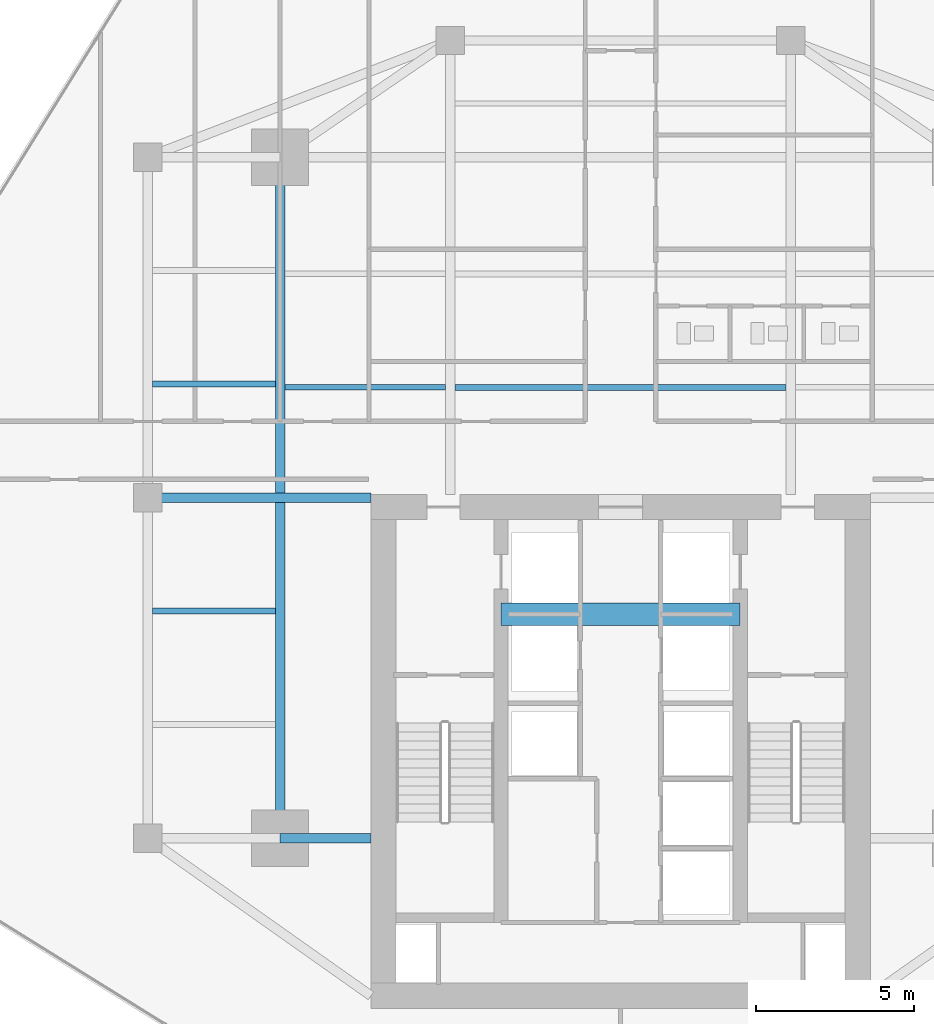
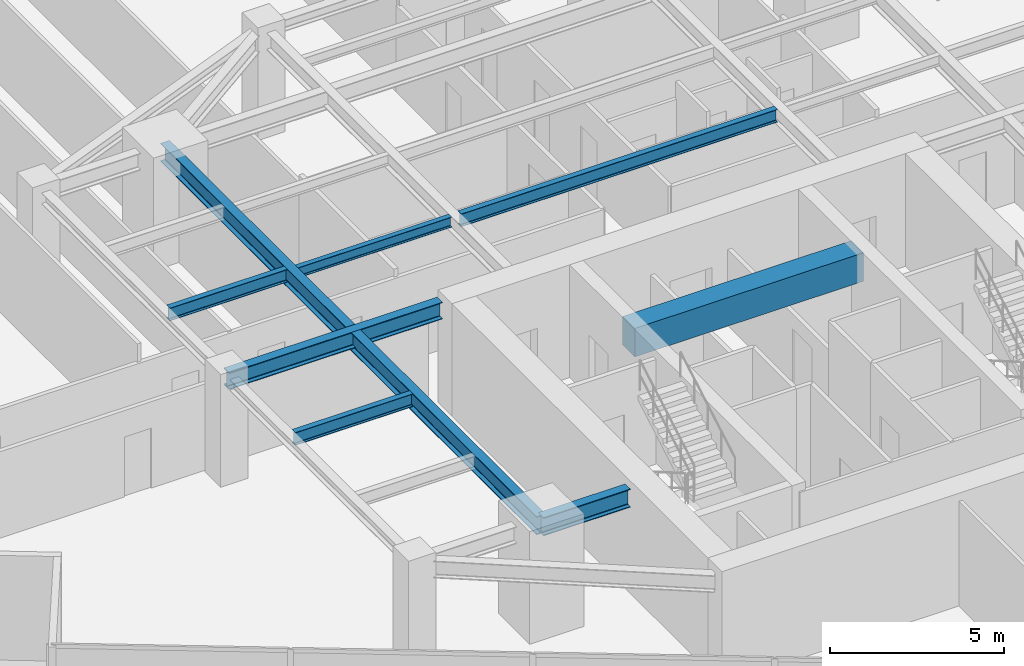
# One storey, part 8 of 25: 8 beams.
"""IFC4 building model written with IfcOpenShell, lengths in metres."""

from ifc_helpers import new_model, si_unit, direction, frame, origin, origin_2d, place, context, subcontext, project, spatial, rectangle, i_section, extrude, source, transform, mapped, material, material_profile, profile_set, type_object, type_shapes, element, save


model = new_model("IFC4")

# Units and contexts
model_context = context("Model", 3, precision=1e-05, world=origin(), true_north=direction((0.0, 1.0)))
body_context = subcontext(model_context, "Body", "Model", "MODEL_VIEW")
ifc_project = project(units=[si_unit("LENGTHUNIT", "METRE"), si_unit("AREAUNIT", "SQUARE_METRE"), si_unit("VOLUMEUNIT", "CUBIC_METRE"), si_unit("PLANEANGLEUNIT", "RADIAN"), si_unit("MASSUNIT", "GRAM", prefix="KILO")], contexts=[model_context])

# Site, building, storey
site_placement = place(None, origin())
site = spatial("IfcSite", under=ifc_project, at=site_placement, CompositionType="ELEMENT")
building_placement = place(site_placement, origin())
building = spatial("IfcBuilding", under=site, at=building_placement, Name="Krantzveldt Concourse Tower", CompositionType="ELEMENT")
storey_placement = place(building_placement, frame((0.0, 0.0, 181.75)))
storey = spatial("IfcBuildingStorey", under=building, at=storey_placement, Name="L44", CompositionType="ELEMENT", Elevation=181.75)

# Beams
ifc_material_1 = material(Name="Steel S355JR", Category="steel")
ifc_material_profile_1 = material_profile(ifc_material_1, i_section(OverallWidth=0.300048828125, OverallDepth=0.639892578125, WebThickness=0.013427734375, FlangeThickness=0.02587890625, FilletRadius=0.027099609375, at=origin_2d()), Name="Steel S355JR", Category="steel")
ifc_profile_set_1 = profile_set([ifc_material_profile_1], Name="Steel S355JR - HEA 650")
beam_type_1 = type_object("IfcBeamType", Name="BM-B-HEA650", PredefinedType="BEAM", material=ifc_profile_set_1)
shared_shape_1 = source(origin(), body_context, "Body", "SweptSolid", [
    extrude(i_section(OverallWidth=0.300048828125, OverallDepth=0.639892578125, WebThickness=0.013427734375, FlangeThickness=0.02587890625, FilletRadius=0.027099609375, at=origin_2d()), origin(), (0.0, 0.0, 1.0), 21.60009765625),
])
beam_1_placement = place(storey_placement, frame((25.199951171875, 15.89990234375, 3.35009765625), z_axis=(0.0, 1.0, 0.0), x_axis=(-1.0, 0.0, 0.0)))
element("IfcBeam", 1, at=beam_1_placement, inside=storey, type_object=beam_type_1, Name="L44 Tower Girder BG-MW", PredefinedType="BEAM", context=body_context, shape_type="MappedRepresentation", body=[
    mapped(shared_shape_1, transform((0.0, 0.0, 0.0), x_axis=(1.0, 0.0, 0.0), y_axis=(0.0, 1.0, 0.0), z_axis=(0.0, 0.0, 1.0), scale=1.0)),
])
ifc_material_profile_2 = material_profile(ifc_material_1, i_section(OverallWidth=0.300048828125, OverallDepth=0.590087890625, WebThickness=0.012939453125, FlangeThickness=0.02490234375, FilletRadius=0.027099609375, at=origin_2d()), Name="Steel S355JR", Category="steel")
ifc_profile_set_2 = profile_set([ifc_material_profile_2], Name="Steel S355JR - HEA 600")
beam_type_2 = type_object("IfcBeamType", Name="BM-B-HEA600", PredefinedType="BEAM", material=ifc_profile_set_2)
shared_shape_2 = source(origin(), body_context, "Body", "SweptSolid", [
    extrude(i_section(OverallWidth=0.300048828125, OverallDepth=0.590087890625, WebThickness=0.012939453125, FlangeThickness=0.02490234375, FilletRadius=0.027099609375, at=origin_2d()), origin(), (0.0, 0.0, 1.0), 7.080078125),
])
type_shapes(beam_type_2, [shared_shape_2])
beam_2_placement = place(storey_placement, frame((21.0, 26.699951171875, 3.375), z_axis=(1.0, 0.0, 0.0), x_axis=(0.0, 1.0, 0.0)))
element("IfcBeam", 2, at=beam_2_placement, inside=storey, type_object=beam_type_2, Name="L44 Tower Girder BG-CW2", PredefinedType="BEAM", context=body_context, shape_type="MappedRepresentation", body=[
    mapped(shared_shape_2, transform((0.0, 0.0, 0.0), x_axis=(1.0, 0.0, 0.0), y_axis=(0.0, 1.0, 0.0), z_axis=(0.0, 0.0, 1.0), scale=1.0)),
])
ifc_material_profile_3 = material_profile(ifc_material_1, i_section(OverallWidth=0.18994140625, OverallDepth=0.449951171875, WebThickness=0.009521484375, FlangeThickness=0.0146484375, FilletRadius=0.02099609375, at=origin_2d()), Name="Steel S355JR", Category="steel")
ifc_profile_set_3 = profile_set([ifc_material_profile_3], Name="Steel S355JR - IPE 450")
beam_type_3 = type_object("IfcBeamType", Name="BM-J-IPE450", PredefinedType="JOIST", material=ifc_profile_set_3)
shared_shape_3 = source(origin(), body_context, "Body", "SweptSolid", [
    extrude(i_section(OverallWidth=0.18994140625, OverallDepth=0.449951171875, WebThickness=0.009521484375, FlangeThickness=0.0146484375, FilletRadius=0.02099609375, at=origin_2d()), origin(), (0.0, 0.0, 1.0), 10.5),
])
beam_3_placement = place(storey_placement, frame((30.75, 30.199951171875, 3.445068359375), z_axis=(1.0, 0.0, 0.0), x_axis=(0.0, 1.0, 0.0)))
element("IfcBeam", 3, at=beam_3_placement, inside=storey, type_object=beam_type_3, Name="L44 Secondary Floor Joist JN-C1", PredefinedType="JOIST", context=body_context, shape_type="MappedRepresentation", body=[
    mapped(shared_shape_3, transform((0.0, 0.0, 0.0), x_axis=(1.0, 0.0, 0.0), y_axis=(0.0, 1.0, 0.0), z_axis=(0.0, 0.0, 1.0), scale=1.0)),
])
ifc_material_2 = material(Name="Concrete C50/60", Category="concrete")
ifc_material_profile_4 = material_profile(ifc_material_2, rectangle(XDim=0.699951171875, YDim=1.0, at=origin_2d()), Name="Concrete C50/60", Category="concrete")
ifc_profile_set_4 = profile_set([ifc_material_profile_4], Name="Concrete C50/60 - RC-CB 700x1000")
beam_type_4 = type_object("IfcBeamType", Name="BM-CB-1000", PredefinedType="LINTEL", material=ifc_profile_set_4)
shared_shape_4 = source(origin(), body_context, "Body", "SweptSolid", [
    extrude(rectangle(XDim=0.699951171875, YDim=1.0, at=origin_2d()), origin(), (0.0, 0.0, 1.0), 7.580078125),
])
type_shapes(beam_type_4, [shared_shape_4])
beam_4_placement = place(storey_placement, frame((32.2099609375, 23.0, 3.169921875), z_axis=(1.0, 0.0, 0.0), x_axis=(0.0, 1.0, 0.0)))
element("IfcBeam", 4, at=beam_4_placement, inside=storey, type_object=beam_type_4, Name="CB-L44-01", PredefinedType="LINTEL", context=body_context, shape_type="MappedRepresentation", body=[
    mapped(shared_shape_4, transform((0.0, 0.0, 0.0), x_axis=(1.0, 0.0, 0.0), y_axis=(0.0, 1.0, 0.0), z_axis=(0.0, 0.0, 1.0), scale=1.0)),
])
shared_shape_5 = source(origin(), body_context, "Body", "SweptSolid", [
    extrude(i_section(OverallWidth=0.300048828125, OverallDepth=0.639892578125, WebThickness=0.013427734375, FlangeThickness=0.02587890625, FilletRadius=0.027099609375, at=origin_2d()), origin(), (0.0, 0.0, 1.0), 2.880126953125),
])
type_shapes(beam_type_1, [shared_shape_1, shared_shape_5])
beam_5_placement = place(storey_placement, frame((25.199951171875, 15.89990234375, 3.35009765625), z_axis=(1.0, 0.0, 0.0), x_axis=(0.0, 1.0, 0.0)))
element("IfcBeam", 5, at=beam_5_placement, inside=storey, type_object=beam_type_1, Name="L44 Tower Girder BG-CW1", PredefinedType="BEAM", context=body_context, shape_type="MappedRepresentation", body=[
    mapped(shared_shape_5, transform((0.0, 0.0, 0.0), x_axis=(1.0, 0.0, 0.0), y_axis=(0.0, 1.0, 0.0), z_axis=(0.0, 0.0, 1.0), scale=1.0)),
])
ifc_material_profile_5 = material_profile(ifc_material_1, i_section(OverallWidth=0.169921875, OverallDepth=0.360107421875, WebThickness=0.008056640625, FlangeThickness=0.0126953125, FilletRadius=0.01806640625, at=origin_2d()), Name="Steel S355JR", Category="steel")
ifc_profile_set_5 = profile_set([ifc_material_profile_5], Name="Steel S355JR - IPE 360")
beam_type_5 = type_object("IfcBeamType", Name="BM-J-IPE360", PredefinedType="JOIST", material=ifc_profile_set_5)
shared_shape_6 = source(origin(), body_context, "Body", "SweptSolid", [
    extrude(i_section(OverallWidth=0.169921875, OverallDepth=0.360107421875, WebThickness=0.008056640625, FlangeThickness=0.0126953125, FilletRadius=0.01806640625, at=origin_2d()), origin(), (0.0, 0.0, 1.0), 5.099853515625),
])
type_shapes(beam_type_5, [shared_shape_6])
beam_6_placement = place(storey_placement, frame((25.35009765625, 30.199951171875, 3.489990234375), z_axis=(1.0, 0.0, 0.0), x_axis=(0.0, 1.0, 0.0)))
element("IfcBeam", 6, at=beam_6_placement, inside=storey, type_object=beam_type_5, Name="L44 Secondary Floor Joist JN-W1", PredefinedType="JOIST", context=body_context, shape_type="MappedRepresentation", body=[
    mapped(shared_shape_6, transform((0.0, 0.0, 0.0), x_axis=(1.0, 0.0, 0.0), y_axis=(0.0, 1.0, 0.0), z_axis=(0.0, 0.0, 1.0), scale=1.0)),
])
shared_shape_7 = source(origin(), body_context, "Body", "SweptSolid", [
    extrude(i_section(OverallWidth=0.18994140625, OverallDepth=0.449951171875, WebThickness=0.009521484375, FlangeThickness=0.0146484375, FilletRadius=0.02099609375, at=origin_2d()), origin(), (0.0, 0.0, 1.0), 3.900146484375),
])
type_shapes(beam_type_3, [shared_shape_3, shared_shape_7])
for number, where, z_axis, x_axis, name in (
    (7, (21.14990234375, 23.10009765625, 3.445068359375), (1.0, 0.0, 0.0), (0.0, 1.0, 0.0), "L44 Secondary Floor Joist JW-2"),
    (8, (21.14990234375, 30.300048828125, 3.445068359375), (1.0, 0.0, 0.0), (0.0, 1.0, 0.0), "L44 Secondary Floor Joist JW-3"),
):
    element("IfcBeam", number, at=place(storey_placement, frame(where, z_axis=z_axis, x_axis=x_axis)), inside=storey, type_object=beam_type_3, Name=name, PredefinedType="JOIST", context=body_context, shape_type="MappedRepresentation", body=[
        mapped(shared_shape_7, transform((0.0, 0.0, 0.0), x_axis=(1.0, 0.0, 0.0), y_axis=(0.0, 1.0, 0.0), z_axis=(0.0, 0.0, 1.0), scale=1.0)),
    ])

save(model, "model.ifc")
